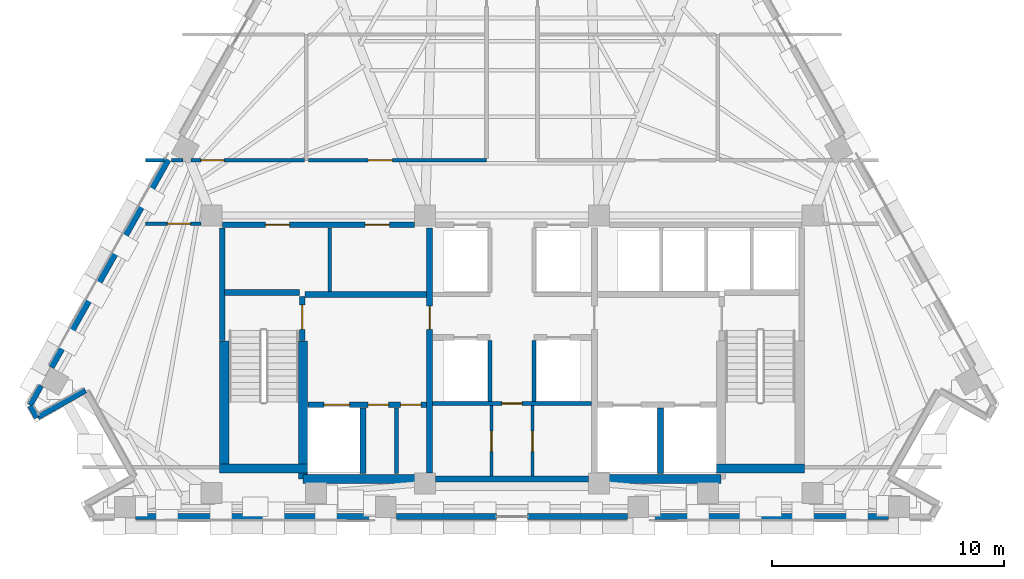
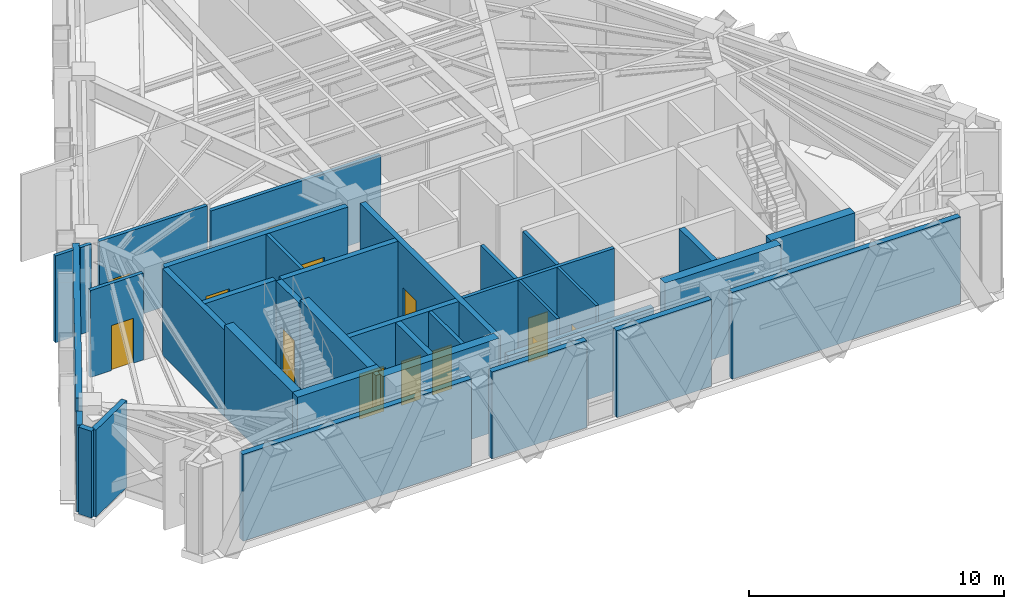
# One storey, part 6 of 11: 36 walls, 13 doors, 13 openings.
"""IFC4 building model written with IfcOpenShell, lengths in metres."""

from ifc_helpers import new_model, si_unit, direction, frame, frame_2d, origin, place, context, subcontext, project, spatial, rectangle, extrude, material, layer, layer_set, type_object, element, fill, save


model = new_model("IFC4")

# Units and contexts
model_context = context("Model", 3, precision=1e-05, world=origin(), true_north=direction((0.0, 1.0)))
body_context = subcontext(model_context, "Body", "Model", "MODEL_VIEW")
ifc_project = project(units=[si_unit("LENGTHUNIT", "METRE"), si_unit("AREAUNIT", "SQUARE_METRE"), si_unit("VOLUMEUNIT", "CUBIC_METRE"), si_unit("PLANEANGLEUNIT", "RADIAN"), si_unit("MASSUNIT", "GRAM", prefix="KILO")], contexts=[model_context])

# Site, building, storey
site_placement = place(None, origin())
site = spatial("IfcSite", under=ifc_project, at=site_placement, CompositionType="ELEMENT")
building_placement = place(site_placement, origin())
building = spatial("IfcBuilding", under=site, at=building_placement, Name="Quenlor Broadcast Tower", CompositionType="ELEMENT")
storey_placement = place(building_placement, frame((0.0, 0.0, 179.0)))
storey = spatial("IfcBuildingStorey", under=building, at=storey_placement, Name="L49", CompositionType="ELEMENT", Elevation=179.0)

# Walls
ifc_material_1 = material(Name="Concrete C50/60", Category="concrete")
ifc_layer_1 = layer(ifc_material_1, 0.39990234375)
ifc_layer_set_1 = layer_set([ifc_layer_1], Name="Core Concrete C50/60 Shear Wall 400")
wall_type_1 = type_object("IfcWallType", Name="Core Concrete C50/60 Shear Wall 400", PredefinedType="SHEAR", material=ifc_layer_set_1)
wall_1_placement = place(storey_placement, frame((-12.60009765625, -15.699951171875, 0.0), z_axis=(0.0, 0.0, 1.0), x_axis=(1.0, 0.0, 0.0)))
element("IfcWall", 1, at=wall_1_placement, inside=storey, type_object=wall_type_1, Name="L49 Core Shear Wall WS-W1", PredefinedType="SHEAR", context=body_context, shape_type="SweptSolid", body=[
    extrude(rectangle(XDim=3.800048828125, YDim=0.39990234375, at=frame_2d((1.89990234375, 0.0))), origin(), (0.0, 0.0, 1.0), 4.39990234375),
])
for number, where, z_axis, x_axis, name in (
    (2, (-9.0, -16.14990234375, 0.0), (0.0, 0.0, 1.0), (1.0, 0.0, 0.0), "L49 Core Shear Wall WS-W2"),
    (3, (3.75, -16.14990234375, 0.0), (0.0, 0.0, 1.0), (1.0, 0.0, 0.0), "L49 Core Shear Wall WS-E1"),
):
    element("IfcWall", number, at=place(storey_placement, frame(where, z_axis=z_axis, x_axis=x_axis)), inside=storey, type_object=wall_type_1, Name=name, PredefinedType="SHEAR", context=body_context, shape_type="SweptSolid", body=[
        extrude(rectangle(XDim=5.25, YDim=0.39990234375, at=frame_2d((2.625, 0.0))), origin(), (0.0, 0.0, 1.0), 4.39990234375),
    ])
wall_2_placement = place(storey_placement, frame((8.800048828125, -15.699951171875, 0.0), z_axis=(0.0, 0.0, 1.0), x_axis=(1.0, 0.0, 0.0)))
element("IfcWall", 4, at=wall_2_placement, inside=storey, type_object=wall_type_1, Name="L49 Core Shear Wall WS-E2", PredefinedType="SHEAR", context=body_context, shape_type="SweptSolid", body=[
    extrude(rectangle(XDim=3.800048828125, YDim=0.39990234375, at=frame_2d((1.89990234375, 0.0))), origin(), (0.0, 0.0, 1.0), 4.39990234375),
])
wall_3_placement = place(storey_placement, frame((-12.39990234375, -15.699951171875, 0.0), z_axis=(0.0, 0.0, 1.0), x_axis=(0.0, 1.0, 0.0)))
element("IfcWall", 5, at=wall_3_placement, inside=storey, type_object=wall_type_1, Name="L49 Core Shear Wall WF-W", PredefinedType="SHEAR", context=body_context, shape_type="SweptSolid", body=[
    extrude(rectangle(XDim=5.5, YDim=0.39990234375, at=frame_2d((2.75, 0.0))), origin(), (0.0, 0.0, 1.0), 4.39990234375),
])
wall_4_placement = place(storey_placement, frame((-9.0, -16.14990234375, 0.0), z_axis=(0.0, 0.0, 1.0), x_axis=(0.0, 1.0, 0.0)))
element("IfcWall", 6, at=wall_4_placement, inside=storey, type_object=wall_type_1, Name="L49 Core Shear Wall WI-W", PredefinedType="SHEAR", context=body_context, shape_type="SweptSolid", body=[
    extrude(rectangle(XDim=5.949951171875, YDim=0.39990234375, at=frame_2d((2.97509765625, 0.0))), origin(), (0.0, 0.0, 1.0), 4.39990234375),
])

# Wall, opening, door
ifc_material_2 = material(Name="Concrete C40/50", Category="concrete")
ifc_layer_2 = layer(ifc_material_2, 0.25)
ifc_layer_set_2 = layer_set([ifc_layer_2], Name="Fire Rated Concrete C40/50 Core Wall 250")
wall_type_2 = type_object("IfcWallType", Name="Fire Rated Concrete C40/50 Core Wall 250", PredefinedType="PARTITIONING", material=ifc_layer_set_2)
wall_5_placement = place(storey_placement, frame((-9.0400390625, -10.179931640625, 0.0), z_axis=(0.0, 0.0, 1.0), x_axis=(0.0, 1.0, 0.0)))
wall_5 = element("IfcWall", 7, at=wall_5_placement, inside=storey, type_object=wall_type_2, Name="L49 Interior Wall CW-ST1-DR", PredefinedType="PARTITIONING", context=body_context, shape_type="SweptSolid", body=[
    extrude(rectangle(XDim=1.89990234375, YDim=0.25, at=frame_2d((0.949951171875, 0.0))), origin(), (0.0, 0.0, 1.0), 4.14990234375),
])
opening_1_placement = place(wall_5_placement, frame((0.47998046875, 0.0, 0.0)))
opening_1 = element("IfcOpeningElement", 8, at=opening_1_placement, cuts=wall_5, Name="Opening FD-1", PredefinedType="OPENING", context=body_context, shape_type="SweptSolid", body=[
    extrude(rectangle(XDim=1.050048828125, YDim=2.14990234375, at=frame_2d((0.52490234375, 1.074951171875))), frame((0.0, 0.135009765625, 0.0), z_axis=(0.0, -1.0, 0.0), x_axis=(1.0, 0.0, 0.0)), (0.0, 0.0, 1.0), 0.27001953125),
])
ifc_material_3 = material(Name="Fire Rated Steel Door Leaf", Category="steel")
door_type_1 = type_object("IfcDoorType", Name="Fire Isolated Stair Door 1050x2150", OperationType="NOTDEFINED", PredefinedType="DOOR", material=ifc_material_3)
door_1_placement = place(opening_1_placement, origin())
door_1 = element("IfcDoor", 9, at=door_1_placement, inside=storey, type_object=door_type_1, Name="L49 Door DR-ST1", OperationType="SINGLE_SWING_LEFT", OverallHeight=2.14990234375, OverallWidth=1.050048828125, PredefinedType="DOOR", context=body_context, shape_type="SweptSolid", body=[
    extrude(rectangle(XDim=1.050048828125, YDim=2.14990234375, at=frame_2d((0.52490234375, 1.074951171875))), frame((0.0, 0.02490234375, 0.0), z_axis=(0.0, -1.0, 0.0), x_axis=(1.0, 0.0, 0.0)), (0.0, 0.0, 1.0), 0.050048828125),
])
fill(opening_1, door_1)

# Walls
wall_6_placement = place(storey_placement, frame((-12.3798828125, -8.1201171875, 0.0), z_axis=(0.0, 0.0, 1.0), x_axis=(1.0, 0.0, 0.0)))
element("IfcWall", 10, at=wall_6_placement, inside=storey, type_object=wall_type_2, Name="L49 Interior Wall CW-ST1-N", PredefinedType="PARTITIONING", context=body_context, shape_type="SweptSolid", body=[
    extrude(rectangle(XDim=3.219970703125, YDim=0.25, at=frame_2d((1.60986328125, 0.0))), origin(), (0.0, 0.0, 1.0), 4.14990234375),
])
wall_7_placement = place(storey_placement, frame((-12.47998046875, -10.179931640625, 0.0), z_axis=(0.0, 0.0, 1.0), x_axis=(0.0, 1.0, 0.0)))
element("IfcWall", 11, at=wall_7_placement, inside=storey, type_object=wall_type_2, Name="L49 Interior Wall CW-ST1-W2", PredefinedType="PARTITIONING", context=body_context, shape_type="SweptSolid", body=[
    extrude(rectangle(XDim=4.83984375, YDim=0.25, at=frame_2d((2.419921875, 0.0))), origin(), (0.0, 0.0, 1.0), 4.14990234375),
])

# Wall, openings, doors
wall_8_placement = place(storey_placement, frame((-8.798095703125, -12.949951171875, 0.0), z_axis=(0.0, 0.0, 1.0), x_axis=(1.0, 0.0, 0.0)))
wall_8 = element("IfcWall", 12, at=wall_8_placement, inside=storey, type_object=wall_type_2, Name="L49 Interior Wall CW-FFW-S", PredefinedType="PARTITIONING", context=body_context, shape_type="SweptSolid", body=[
    extrude(rectangle(XDim=5.1181640625, YDim=0.25, at=frame_2d((2.55908203125, 0.0))), origin(), (0.0, 0.0, 1.0), 4.14990234375),
])
opening_2_placement = place(wall_8_placement, frame((0.697998046875, 0.0, 0.0)))
opening_2 = element("IfcOpeningElement", 13, at=opening_2_placement, cuts=wall_8, Name="Opening LD-FFL-1", PredefinedType="OPENING", context=body_context, shape_type="SweptSolid", body=[
    extrude(rectangle(XDim=1.10009765625, YDim=2.14990234375, at=frame_2d((0.550048828125, 1.074951171875))), frame((0.0, 0.135009765625, 0.0), z_axis=(0.0, -1.0, 0.0), x_axis=(1.0, 0.0, 0.0)), (0.0, 0.0, 1.0), 0.27001953125),
])
opening_3_placement = place(wall_8_placement, frame((2.597900390625, 0.0, 0.0)))
opening_3 = element("IfcOpeningElement", 14, at=opening_3_placement, cuts=wall_8, Name="Opening TD-1", PredefinedType="OPENING", context=body_context, shape_type="SweptSolid", body=[
    extrude(rectangle(XDim=0.8798828125, YDim=2.10009765625, at=frame_2d((0.43994140625, 1.050048828125))), frame((0.0, 0.135009765625, 0.0), z_axis=(0.0, -1.0, 0.0), x_axis=(1.0, 0.0, 0.0)), (0.0, 0.0, 1.0), 0.27001953125),
])
opening_4_placement = place(wall_8_placement, frame((3.998046875, 0.0, 0.0)))
opening_4 = element("IfcOpeningElement", 15, at=opening_4_placement, cuts=wall_8, Name="Opening TD-1", PredefinedType="OPENING", context=body_context, shape_type="SweptSolid", body=[
    extrude(rectangle(XDim=0.8798828125, YDim=2.10009765625, at=frame_2d((0.43994140625, 1.050048828125))), frame((0.0, 0.135009765625, 0.0), z_axis=(0.0, -1.0, 0.0), x_axis=(1.0, 0.0, 0.0)), (0.0, 0.0, 1.0), 0.27001953125),
])
ifc_material_4 = material(Name="Brushed Stainless Steel", Category="steel")
door_type_2 = type_object("IfcDoorType", Name="Emergency Lift Sliding Landing Door 1100x2150", OperationType="NOTDEFINED", PredefinedType="DOOR", material=ifc_material_4)
door_2_placement = place(opening_2_placement, origin())
door_2 = element("IfcDoor", 16, at=door_2_placement, inside=storey, type_object=door_type_2, Name="L49 Door LD-FFL-1", OperationType="SLIDING_TO_LEFT", OverallHeight=2.14990234375, OverallWidth=1.10009765625, PredefinedType="DOOR", context=body_context, shape_type="SweptSolid", body=[
    extrude(rectangle(XDim=1.10009765625, YDim=2.14990234375, at=frame_2d((0.550048828125, 1.074951171875))), frame((0.0, 0.02490234375, 0.0), z_axis=(0.0, -1.0, 0.0), x_axis=(1.0, 0.0, 0.0)), (0.0, 0.0, 1.0), 0.050048828125),
])
fill(opening_2, door_2)
ifc_material_5 = material(Name="Fire Rated Steel Access Panel", Category="steel")
door_type_3 = type_object("IfcDoorType", Name="Riser Shaft Rated Access Trapdoor 880x2100", OperationType="NOTDEFINED", PredefinedType="TRAPDOOR", material=ifc_material_5)
door_3_placement = place(opening_3_placement, origin())
door_3 = element("IfcDoor", 17, at=door_3_placement, inside=storey, type_object=door_type_3, Name="L49 Door DR-ELR", OperationType="SINGLE_SWING_LEFT", OverallHeight=2.10009765625, OverallWidth=0.8798828125, PredefinedType="TRAPDOOR", context=body_context, shape_type="SweptSolid", body=[
    extrude(rectangle(XDim=0.8798828125, YDim=2.10009765625, at=frame_2d((0.43994140625, 1.050048828125))), frame((0.0, 0.02490234375, 0.0), z_axis=(0.0, -1.0, 0.0), x_axis=(1.0, 0.0, 0.0)), (0.0, 0.0, 1.0), 0.050048828125),
])
fill(opening_3, door_3)
door_4_placement = place(opening_4_placement, origin())
door_4 = element("IfcDoor", 18, at=door_4_placement, inside=storey, type_object=door_type_3, Name="L49 Door DR-CMR", OperationType="SINGLE_SWING_RIGHT", OverallHeight=2.10009765625, OverallWidth=0.8798828125, PredefinedType="TRAPDOOR", context=body_context, shape_type="SweptSolid", body=[
    extrude(rectangle(XDim=0.8798828125, YDim=2.10009765625, at=frame_2d((0.43994140625, 1.050048828125))), frame((0.0, 0.02490234375, 0.0), z_axis=(0.0, -1.0, 0.0), x_axis=(1.0, 0.0, 0.0)), (0.0, 0.0, 1.0), 0.050048828125),
])
fill(opening_4, door_4)

# Walls
for number, where, z_axis, x_axis, name in (
    (19, (-6.419921875, -15.919921875, 0.0), (0.0, 0.0, 1.0), (0.0, 1.0, 0.0), "L49 Interior Wall CW-FF1-E"),
    (20, (6.39990234375, -15.919921875, 0.0), (0.0, 0.0, 1.0), (0.0, 1.0, 0.0), "L49 Interior Wall CW-SV1-E"),
):
    element("IfcWall", number, at=place(storey_placement, frame(where, z_axis=z_axis, x_axis=x_axis)), inside=storey, type_object=wall_type_2, Name=name, PredefinedType="PARTITIONING", context=body_context, shape_type="SweptSolid", body=[
        extrude(rectangle(XDim=2.829833984375, YDim=0.25, at=frame_2d((1.4150390625, 0.0))), origin(), (0.0, 0.0, 1.0), 4.14990234375),
    ])
wall_9_placement = place(storey_placement, frame((-8.919921875, -8.199951171875, 0.0), z_axis=(0.0, 0.0, 1.0), x_axis=(1.0, 0.0, 0.0)))
element("IfcWall", 21, at=wall_9_placement, inside=storey, type_object=wall_type_2, Name="L49 Interior Wall CW-FFW-N", PredefinedType="PARTITIONING", context=body_context, shape_type="SweptSolid", body=[
    extrude(rectangle(XDim=5.239990234375, YDim=0.25, at=frame_2d((2.6201171875, 0.0))), origin(), (0.0, 0.0, 1.0), 4.14990234375),
])

# Wall, opening, door
wall_10_placement = place(storey_placement, frame((-3.550048828125, -15.89794921875, 0.0), z_axis=(0.0, 0.0, 1.0), x_axis=(0.0, 1.0, 0.0)))
wall_10 = element("IfcWall", 22, at=wall_10_placement, inside=storey, type_object=wall_type_2, Name="L49 Interior Wall CW-FFW-E", PredefinedType="PARTITIONING", context=body_context, shape_type="SweptSolid", body=[
    extrude(rectangle(XDim=10.557861328125, YDim=0.25, at=frame_2d((5.27880859375, 0.0))), origin(), (0.0, 0.0, 1.0), 4.14990234375),
])
opening_5_placement = place(wall_10_placement, frame((6.197998046875, 0.0, 0.0)))
opening_5 = element("IfcOpeningElement", 23, at=opening_5_placement, cuts=wall_10, Name="Opening FD-2", PredefinedType="OPENING", context=body_context, shape_type="SweptSolid", body=[
    extrude(rectangle(XDim=1.0, YDim=2.14990234375, at=frame_2d((0.5, 1.074951171875))), frame((0.0, 0.135009765625, 0.0), z_axis=(0.0, -1.0, 0.0), x_axis=(1.0, 0.0, 0.0)), (0.0, 0.0, 1.0), 0.27001953125),
])
ifc_material_6 = material(Name="Fire Rated Glazed Steel Door", Category="steel")
door_type_4 = type_object("IfcDoorType", Name="Firefighting Lobby Smoke Door 1000x2150", OperationType="NOTDEFINED", PredefinedType="DOOR", material=ifc_material_6)
door_5_placement = place(opening_5_placement, origin())
door_5 = element("IfcDoor", 24, at=door_5_placement, inside=storey, type_object=door_type_4, Name="L49 Door DR-FFLW", OperationType="SINGLE_SWING_RIGHT", OverallHeight=2.14990234375, OverallWidth=1.0, PredefinedType="DOOR", context=body_context, shape_type="SweptSolid", body=[
    extrude(rectangle(XDim=1.0, YDim=2.14990234375, at=frame_2d((0.5, 1.074951171875))), frame((0.0, 0.02490234375, 0.0), z_axis=(0.0, -1.0, 0.0), x_axis=(1.0, 0.0, 0.0)), (0.0, 0.0, 1.0), 0.050048828125),
])
fill(opening_5, door_5)

# Wall, openings, doors
wall_11_placement = place(storey_placement, frame((-12.47998046875, -5.199951171875, 0.0), z_axis=(0.0, 0.0, 1.0), x_axis=(1.0, 0.0, 0.0)))
wall_11 = element("IfcWall", 25, at=wall_11_placement, inside=storey, type_object=wall_type_2, Name="L49 Interior Wall CW-N-W", PredefinedType="PARTITIONING", context=body_context, shape_type="SweptSolid", body=[
    extrude(rectangle(XDim=8.278076171875, YDim=0.25, at=frame_2d((4.13916015625, 0.0))), origin(), (0.0, 0.0, 1.0), 4.14990234375),
])
opening_6_placement = place(wall_11_placement, frame((1.85009765625, 0.0, 0.0)))
opening_6 = element("IfcOpeningElement", 26, at=opening_6_placement, cuts=wall_11, Name="Opening FD-3", PredefinedType="OPENING", context=body_context, shape_type="SweptSolid", body=[
    extrude(rectangle(XDim=1.050048828125, YDim=2.1201171875, at=frame_2d((0.52490234375, 1.06005859375))), frame((0.0, 0.135009765625, 0.0), z_axis=(0.0, -1.0, 0.0), x_axis=(1.0, 0.0, 0.0)), (0.0, 0.0, 1.0), 0.27001953125),
])
opening_7_placement = place(wall_11_placement, frame((6.14990234375, 0.0, 0.0)))
opening_7 = element("IfcOpeningElement", 27, at=opening_7_placement, cuts=wall_11, Name="Opening FD-3", PredefinedType="OPENING", context=body_context, shape_type="SweptSolid", body=[
    extrude(rectangle(XDim=1.050048828125, YDim=2.1201171875, at=frame_2d((0.52490234375, 1.06005859375))), frame((0.0, 0.135009765625, 0.0), z_axis=(0.0, -1.0, 0.0), x_axis=(1.0, 0.0, 0.0)), (0.0, 0.0, 1.0), 0.27001953125),
])
ifc_material_7 = material(Name="Galvanised Fire Steel Leaf", Category="steel")
door_type_5 = type_object("IfcDoorType", Name="Plant Room Fire Rated Door 1050x2120", OperationType="NOTDEFINED", PredefinedType="DOOR", material=ifc_material_7)
door_6_placement = place(opening_6_placement, origin())
door_6 = element("IfcDoor", 28, at=door_6_placement, inside=storey, type_object=door_type_5, Name="L49 Door DR-RCL1", OperationType="SINGLE_SWING_LEFT", OverallHeight=2.1201171875, OverallWidth=1.050048828125, PredefinedType="DOOR", context=body_context, shape_type="SweptSolid", body=[
    extrude(rectangle(XDim=1.050048828125, YDim=2.1201171875, at=frame_2d((0.52490234375, 1.06005859375))), frame((0.0, 0.02490234375, 0.0), z_axis=(0.0, -1.0, 0.0), x_axis=(1.0, 0.0, 0.0)), (0.0, 0.0, 1.0), 0.050048828125),
])
fill(opening_6, door_6)
door_7_placement = place(opening_7_placement, origin())
door_7 = element("IfcDoor", 29, at=door_7_placement, inside=storey, type_object=door_type_5, Name="L49 Door DR-RCL2", OperationType="SINGLE_SWING_RIGHT", OverallHeight=2.1201171875, OverallWidth=1.050048828125, PredefinedType="DOOR", context=body_context, shape_type="SweptSolid", body=[
    extrude(rectangle(XDim=1.050048828125, YDim=2.1201171875, at=frame_2d((0.52490234375, 1.06005859375))), frame((0.0, 0.02490234375, 0.0), z_axis=(0.0, -1.0, 0.0), x_axis=(1.0, 0.0, 0.0)), (0.0, 0.0, 1.0), 0.050048828125),
])
fill(opening_7, door_7)

# Walls
wall_12_placement = place(storey_placement, frame((-3.298095703125, -16.14990234375, 0.0), z_axis=(0.0, 0.0, 1.0), x_axis=(1.0, 0.0, 0.0)))
element("IfcWall", 30, at=wall_12_placement, inside=storey, type_object=wall_type_2, Name="L49 Interior Wall CW-MS-S", PredefinedType="PARTITIONING", context=body_context, shape_type="SweptSolid", body=[
    extrude(rectangle(XDim=6.59619140625, YDim=0.25, at=frame_2d((3.298095703125, 0.0))), origin(), (0.0, 0.0, 1.0), 3.35009765625),
])
ifc_material_8 = material(Name="Gypsum Fireboard Partition", Category="other")
ifc_layer_3 = layer(ifc_material_8, 0.159912109375)
ifc_layer_set_3 = layer_set([ifc_layer_3], Name="Fire Rated Shaft and Corridor Partition 160")
wall_type_3 = type_object("IfcWallType", Name="Fire Rated Shaft and Corridor Partition 160", PredefinedType="PARTITIONING", material=ifc_layer_set_3)
wall_13_placement = place(storey_placement, frame((-4.97998046875, -15.919921875, 0.0), z_axis=(0.0, 0.0, 1.0), x_axis=(0.0, 1.0, 0.0)))
element("IfcWall", 31, at=wall_13_placement, inside=storey, type_object=wall_type_3, Name="L49 Interior Wall CW-ELR-E", PredefinedType="PARTITIONING", context=body_context, shape_type="SweptSolid", body=[
    extrude(rectangle(XDim=2.829833984375, YDim=0.159912109375, at=frame_2d((1.4150390625, 0.0))), origin(), (0.0, 0.0, 1.0), 4.14990234375),
])
wall_14_placement = place(storey_placement, frame((-7.85009765625, -8.072998046875, 0.0), z_axis=(0.0, 0.0, 1.0), x_axis=(0.0, 1.0, 0.0)))
element("IfcWall", 32, at=wall_14_placement, inside=storey, type_object=wall_type_3, Name="L49 Interior Wall CW-RCL-MID", PredefinedType="PARTITIONING", context=body_context, shape_type="SweptSolid", body=[
    extrude(rectangle(XDim=2.73291015625, YDim=0.159912109375, at=frame_2d((1.366455078125, 0.0))), origin(), (0.0, 0.0, 1.0), 4.14990234375),
])

# Wall, opening, door
wall_15_placement = place(storey_placement, frame((-3.419921875, -12.89990234375, 0.0), z_axis=(0.0, 0.0, 1.0), x_axis=(1.0, 0.0, 0.0)))
wall_15 = element("IfcWall", 33, at=wall_15_placement, inside=storey, type_object=wall_type_3, Name="L49 Interior Wall CW-MS-B", PredefinedType="PARTITIONING", context=body_context, shape_type="SweptSolid", body=[
    extrude(rectangle(XDim=6.83984375, YDim=0.159912109375, at=frame_2d((3.419921875, 0.0))), origin(), (0.0, 0.0, 1.0), 4.14990234375),
])
opening_8_placement = place(wall_15_placement, frame((2.97998046875, 0.0, 0.0)))
opening_8 = element("IfcOpeningElement", 34, at=opening_8_placement, cuts=wall_15, Name="Opening ID-4", PredefinedType="OPENING", context=body_context, shape_type="SweptSolid", body=[
    extrude(rectangle(XDim=0.8798828125, YDim=2.1201171875, at=frame_2d((0.43994140625, 1.06005859375))), frame((0.0, 0.08984375, 0.0), z_axis=(0.0, -1.0, 0.0), x_axis=(1.0, 0.0, 0.0)), (0.0, 0.0, 1.0), 0.179931640625),
])
ifc_material_9 = material(Name="Solid Core Timber Oak", Category="wood")
door_type_6 = type_object("IfcDoorType", Name="Service Closet Timber Door 880x2120", OperationType="NOTDEFINED", PredefinedType="DOOR", material=ifc_material_9)
door_8_placement = place(opening_8_placement, origin())
door_8 = element("IfcDoor", 35, at=door_8_placement, inside=storey, type_object=door_type_6, Name="L49 Door DR-CSV0", OperationType="SINGLE_SWING_LEFT", OverallHeight=2.1201171875, OverallWidth=0.8798828125, PredefinedType="DOOR", context=body_context, shape_type="SweptSolid", body=[
    extrude(rectangle(XDim=0.8798828125, YDim=2.1201171875, at=frame_2d((0.43994140625, 1.06005859375))), frame((0.0, 0.02490234375, 0.0), z_axis=(0.0, -1.0, 0.0), x_axis=(1.0, 0.0, 0.0)), (0.0, 0.0, 1.0), 0.050048828125),
])
fill(opening_8, door_8)

# Walls
for number, where, z_axis, x_axis, name in (
    (36, (-0.949951171875, -12.818115234375, 0.0), (0.0, 0.0, 1.0), (0.0, 1.0, 0.0), "L49 Interior Wall CW-MS-W"),
    (37, (0.949951171875, -12.818115234375, 0.0), (0.0, 0.0, 1.0), (0.0, 1.0, 0.0), "L49 Interior Wall CW-MS-E"),
):
    element("IfcWall", number, at=place(storey_placement, frame(where, z_axis=z_axis, x_axis=x_axis)), inside=storey, type_object=wall_type_3, Name=name, PredefinedType="PARTITIONING", context=body_context, shape_type="SweptSolid", body=[
        extrude(rectangle(XDim=2.63818359375, YDim=0.159912109375, at=frame_2d((1.319091796875, 0.0))), origin(), (0.0, 0.0, 1.0), 4.14990234375),
    ])
wall_16_placement = place(storey_placement, frame((-15.800048828125, -2.419921875, 0.0), z_axis=(0.0, 0.0, 1.0), x_axis=(1.0, 0.0, 0.0)))
element("IfcWall", 38, at=wall_16_placement, inside=storey, type_object=wall_type_3, Name="L49 Interior Wall PW-PL-HW", PredefinedType="PARTITIONING", context=body_context, shape_type="SweptSolid", body=[
    extrude(rectangle(XDim=0.820556640625, YDim=0.159912109375, at=frame_2d((0.41015625, 0.0))), origin(), (0.0, 0.0, 1.0), 4.14990234375),
])
wall_17_placement = place(storey_placement, frame((-14.6767578125, -2.419921875, 0.0), z_axis=(0.0, 0.0, 1.0), x_axis=(1.0, 0.0, 0.0)))
element("IfcWall", 39, at=wall_17_placement, inside=storey, type_object=wall_type_3, Name="L49 Interior Wall PW-PL-HWS2", PredefinedType="PARTITIONING", context=body_context, shape_type="SweptSolid", body=[
    extrude(rectangle(XDim=0.5087890625, YDim=0.159912109375, at=frame_2d((0.25439453125, 0.0))), origin(), (0.0, 0.0, 1.0), 4.14990234375),
])

# Wall, opening, door
wall_18_placement = place(storey_placement, frame((-13.822021484375, -2.419921875, 0.0), z_axis=(0.0, 0.0, 1.0), x_axis=(1.0, 0.0, 0.0)))
wall_18 = element("IfcWall", 40, at=wall_18_placement, inside=storey, type_object=wall_type_3, Name="L49 Interior Wall PW-PL-HWS3", PredefinedType="PARTITIONING", context=body_context, shape_type="SweptSolid", body=[
    extrude(rectangle(XDim=4.880126953125, YDim=0.159912109375, at=frame_2d((2.43994140625, 0.0))), origin(), (0.0, 0.0, 1.0), 4.14990234375),
])
opening_9_placement = place(wall_18_placement, frame((0.422119140625, 0.0, 0.0)))
opening_9 = element("IfcOpeningElement", 41, at=opening_9_placement, cuts=wall_18, Name="Opening FD-2", PredefinedType="OPENING", context=body_context, shape_type="SweptSolid", body=[
    extrude(rectangle(XDim=1.0, YDim=2.14990234375, at=frame_2d((0.5, 1.074951171875))), frame((0.0, 0.08984375, 0.0), z_axis=(0.0, -1.0, 0.0), x_axis=(1.0, 0.0, 0.0)), (0.0, 0.0, 1.0), 0.179931640625),
])
door_9_placement = place(opening_9_placement, origin())
door_9 = element("IfcDoor", 42, at=door_9_placement, inside=storey, type_object=door_type_4, Name="L49 Door DR-REFW2", OperationType="SINGLE_SWING_LEFT", OverallHeight=2.14990234375, OverallWidth=1.0, PredefinedType="DOOR", context=body_context, shape_type="SweptSolid", body=[
    extrude(rectangle(XDim=1.0, YDim=2.14990234375, at=frame_2d((0.5, 1.074951171875))), frame((0.0, 0.02490234375, 0.0), z_axis=(0.0, -1.0, 0.0), x_axis=(1.0, 0.0, 0.0)), (0.0, 0.0, 1.0), 0.050048828125),
])
fill(opening_9, door_9)

wall_19_placement = place(storey_placement, frame((-8.778076171875, -2.419921875, 0.0), z_axis=(0.0, 0.0, 1.0), x_axis=(1.0, 0.0, 0.0)))
wall_19 = element("IfcWall", 43, at=wall_19_placement, inside=storey, type_object=wall_type_3, Name="L49 Interior Wall PW-PL-HWS4", PredefinedType="PARTITIONING", context=body_context, shape_type="SweptSolid", body=[
    extrude(rectangle(XDim=7.677978515625, YDim=0.159912109375, at=frame_2d((3.8388671875, 0.0))), origin(), (0.0, 0.0, 1.0), 3.8427734375),
])
opening_10_placement = place(wall_19_placement, frame((2.577880859375, 0.0, 0.0)))
opening_10 = element("IfcOpeningElement", 44, at=opening_10_placement, cuts=wall_19, Name="Opening FD-3", PredefinedType="OPENING", context=body_context, shape_type="SweptSolid", body=[
    extrude(rectangle(XDim=1.050048828125, YDim=2.1201171875, at=frame_2d((0.52490234375, 1.06005859375))), frame((0.0, 0.08984375, 0.0), z_axis=(0.0, -1.0, 0.0), x_axis=(1.0, 0.0, 0.0)), (0.0, 0.0, 1.0), 0.179931640625),
])
door_10_placement = place(opening_10_placement, origin())
door_10 = element("IfcDoor", 45, at=door_10_placement, inside=storey, type_object=door_type_5, Name="L49 Door DR-PLT1", OperationType="SINGLE_SWING_LEFT", OverallHeight=2.1201171875, OverallWidth=1.050048828125, PredefinedType="DOOR", context=body_context, shape_type="SweptSolid", body=[
    extrude(rectangle(XDim=1.050048828125, YDim=2.1201171875, at=frame_2d((0.52490234375, 1.06005859375))), frame((0.0, 0.02490234375, 0.0), z_axis=(0.0, -1.0, 0.0), x_axis=(1.0, 0.0, 0.0)), (0.0, 0.0, 1.0), 0.050048828125),
])
fill(opening_10, door_10)

wall_20_placement = place(storey_placement, frame((-15.800048828125, -5.14990234375, 0.0), z_axis=(0.0, 0.0, 1.0), x_axis=(1.0, 0.0, 0.0)))
wall_20 = element("IfcWall", 46, at=wall_20_placement, inside=storey, type_object=wall_type_3, Name="L49 Interior Wall PW-RF-W", PredefinedType="PARTITIONING", context=body_context, shape_type="SweptSolid", body=[
    extrude(rectangle(XDim=2.39794921875, YDim=0.159912109375, at=frame_2d((1.198974609375, 0.0))), origin(), (0.0, 0.0, 1.0), 4.14990234375),
])
opening_11_placement = place(wall_20_placement, frame((0.949951171875, 0.0, 0.0)))
opening_11 = element("IfcOpeningElement", 47, at=opening_11_placement, cuts=wall_20, Name="Opening FD-2", PredefinedType="OPENING", context=body_context, shape_type="SweptSolid", body=[
    extrude(rectangle(XDim=1.0, YDim=2.14990234375, at=frame_2d((0.5, 1.074951171875))), frame((0.0, 0.08984375, 0.0), z_axis=(0.0, -1.0, 0.0), x_axis=(1.0, 0.0, 0.0)), (0.0, 0.0, 1.0), 0.179931640625),
])
door_11_placement = place(opening_11_placement, origin())
door_11 = element("IfcDoor", 48, at=door_11_placement, inside=storey, type_object=door_type_4, Name="L49 Door DR-REFW", OperationType="SINGLE_SWING_LEFT", OverallHeight=2.14990234375, OverallWidth=1.0, PredefinedType="DOOR", context=body_context, shape_type="SweptSolid", body=[
    extrude(rectangle(XDim=1.0, YDim=2.14990234375, at=frame_2d((0.5, 1.074951171875))), frame((0.0, 0.02490234375, 0.0), z_axis=(0.0, -1.0, 0.0), x_axis=(1.0, 0.0, 0.0)), (0.0, 0.0, 1.0), 0.050048828125),
])
fill(opening_11, door_11)

ifc_material_10 = material(Name="Gypsum Plasterboard Partition", Category="other")
ifc_layer_4 = layer(ifc_material_10, 0.1201171875)
ifc_layer_set_4 = layer_set([ifc_layer_4], Name="Standard Office Partition 120")
wall_type_4 = type_object("IfcWallType", Name="Standard Office Partition 120", PredefinedType="PARTITIONING", material=ifc_layer_set_4)
wall_21_placement = place(storey_placement, frame((-0.8798828125, -16.02001953125, 0.0), z_axis=(0.0, 0.0, 1.0), x_axis=(0.0, 1.0, 0.0)))
wall_21 = element("IfcWall", 49, at=wall_21_placement, inside=storey, type_object=wall_type_4, Name="L49 Interior Wall CW-CSV-W3", PredefinedType="PARTITIONING", context=body_context, shape_type="SweptSolid", body=[
    extrude(rectangle(XDim=3.0380859375, YDim=0.1201171875, at=frame_2d((1.51904296875, 0.0))), origin(), (0.0, 0.0, 1.0), 4.14990234375),
])
opening_12_placement = place(wall_21_placement, frame((1.050048828125, 0.0, 0.0)))
opening_12 = element("IfcOpeningElement", 50, at=opening_12_placement, cuts=wall_21, Name="Opening ID-4", PredefinedType="OPENING", context=body_context, shape_type="SweptSolid", body=[
    extrude(rectangle(XDim=0.8798828125, YDim=2.1201171875, at=frame_2d((0.43994140625, 1.06005859375))), frame((0.0, 0.070068359375, 0.0), z_axis=(0.0, -1.0, 0.0), x_axis=(1.0, 0.0, 0.0)), (0.0, 0.0, 1.0), 0.14013671875),
])
door_12_placement = place(opening_12_placement, origin())
door_12 = element("IfcDoor", 51, at=door_12_placement, inside=storey, type_object=door_type_6, Name="L49 Door DR-CSV1", OperationType="SINGLE_SWING_LEFT", OverallHeight=2.1201171875, OverallWidth=0.8798828125, PredefinedType="DOOR", context=body_context, shape_type="SweptSolid", body=[
    extrude(rectangle(XDim=0.8798828125, YDim=2.1201171875, at=frame_2d((0.43994140625, 1.06005859375))), frame((0.0, 0.02490234375, 0.0), z_axis=(0.0, -1.0, 0.0), x_axis=(1.0, 0.0, 0.0)), (0.0, 0.0, 1.0), 0.050048828125),
])
fill(opening_12, door_12)

wall_22_placement = place(storey_placement, frame((0.8798828125, -16.02001953125, 0.0), z_axis=(0.0, 0.0, 1.0), x_axis=(0.0, 1.0, 0.0)))
wall_22 = element("IfcWall", 52, at=wall_22_placement, inside=storey, type_object=wall_type_4, Name="L49 Interior Wall CW-CSV-E3", PredefinedType="PARTITIONING", context=body_context, shape_type="SweptSolid", body=[
    extrude(rectangle(XDim=3.0380859375, YDim=0.1201171875, at=frame_2d((1.51904296875, 0.0))), origin(), (0.0, 0.0, 1.0), 4.14990234375),
])
opening_13_placement = place(wall_22_placement, frame((1.050048828125, 0.0, 0.0)))
opening_13 = element("IfcOpeningElement", 53, at=opening_13_placement, cuts=wall_22, Name="Opening ID-4", PredefinedType="OPENING", context=body_context, shape_type="SweptSolid", body=[
    extrude(rectangle(XDim=0.8798828125, YDim=2.1201171875, at=frame_2d((0.43994140625, 1.06005859375))), frame((0.0, 0.070068359375, 0.0), z_axis=(0.0, -1.0, 0.0), x_axis=(1.0, 0.0, 0.0)), (0.0, 0.0, 1.0), 0.14013671875),
])
door_13_placement = place(opening_13_placement, origin())
door_13 = element("IfcDoor", 54, at=door_13_placement, inside=storey, type_object=door_type_6, Name="L49 Door DR-CSV2", OperationType="SINGLE_SWING_RIGHT", OverallHeight=2.1201171875, OverallWidth=0.8798828125, PredefinedType="DOOR", context=body_context, shape_type="SweptSolid", body=[
    extrude(rectangle(XDim=0.8798828125, YDim=2.1201171875, at=frame_2d((0.43994140625, 1.06005859375))), frame((0.0, 0.02490234375, 0.0), z_axis=(0.0, -1.0, 0.0), x_axis=(1.0, 0.0, 0.0)), (0.0, 0.0, 1.0), 0.050048828125),
])
fill(opening_13, door_13)

# Walls
ifc_material_11 = material(Name="Precast concrete C40/50", Category="concrete")
ifc_layer_5 = layer(ifc_material_11, 0.239990234375)
ifc_layer_set_5 = layer_set([ifc_layer_5], Name="Terrace Threshold Precast Concrete C40/50 Wall 240")
wall_type_5 = type_object("IfcWallType", Name="Terrace Threshold Precast Concrete C40/50 Wall 240", PredefinedType="STANDARD", material=ifc_layer_set_5)
wall_23_placement = place(storey_placement, frame((-20.762451171875, -12.969970703125, 0.0), z_axis=(0.0, 0.0, 1.0), x_axis=(0.490345412687, 0.87152818443, 0.0)))
element("IfcWall", 55, at=wall_23_placement, inside=storey, type_object=wall_type_5, Name="L49 Exterior Wall L49-SHD-NWS0", PredefinedType="STANDARD", context=body_context, shape_type="SweptSolid", body=[
    extrude(rectangle(XDim=0.9638671875, YDim=0.239990234375, at=frame_2d((0.48193359375, 0.0))), origin(), (0.0, 0.0, 1.0), 4.14990234375),
])
wall_24_placement = place(storey_placement, frame((-20.75537109375, -12.999267578125, 0.0), z_axis=(0.0, 0.0, 1.0), x_axis=(0.490320776404, -0.871542045014, 0.0)))
element("IfcWall", 56, at=wall_24_placement, inside=storey, type_object=wall_type_5, Name="L49 Exterior Wall L49-CNR-12", PredefinedType="STANDARD", context=body_context, shape_type="SweptSolid", body=[
    extrude(rectangle(XDim=0.583984375, YDim=0.239990234375, at=frame_2d((0.2919921875, 0.0))), origin(), (0.0, 0.0, 1.0), 4.14990234375),
])
wall_25_placement = place(storey_placement, frame((-20.43408203125, -13.488525390625, 0.0), z_axis=(0.0, 0.0, 1.0), x_axis=(0.871578299909, 0.490256327984, 0.0)))
element("IfcWall", 57, at=wall_25_placement, inside=storey, type_object=wall_type_5, Name="L49 Exterior Wall L49-CNR-13", PredefinedType="STANDARD", context=body_context, shape_type="SweptSolid", body=[
    extrude(rectangle(XDim=2.35986328125, YDim=0.239990234375, at=frame_2d((1.179931640625, 0.0))), origin(), (0.0, 0.0, 1.0), 4.14990234375),
])
ifc_material_12 = material(Name="Precast concrete C40/50", Category="concrete")
ifc_layer_6 = layer(ifc_material_12, 0.260009765625)
ifc_layer_set_6 = layer_set([ifc_layer_6], Name="Terracotta Precast Concrete C40/50 Upper Wall 260")
wall_type_6 = type_object("IfcWallType", Name="Terracotta Precast Concrete C40/50 Upper Wall 260", PredefinedType="STANDARD", material=ifc_layer_set_6)
for number, where, z_axis, x_axis, name in (
    (58, (16.220947265625, -17.77490234375, 0.0), (0.0, 0.0, 1.0), (-1.0, 0.0, 0.0), "L49 Exterior Wall L49-EW-SA"),
    (59, (-5.892822265625, -17.77490234375, 0.0), (0.0, 0.0, 1.0), (-1.0, 0.0, 0.0), "L49 Exterior Wall L49-EW-SC"),
):
    element("IfcWall", number, at=place(storey_placement, frame(where, z_axis=z_axis, x_axis=x_axis)), inside=storey, type_object=wall_type_6, Name=name, PredefinedType="STANDARD", context=body_context, shape_type="SweptSolid", body=[
        extrude(rectangle(XDim=10.328125, YDim=0.260009765625, at=frame_2d((5.1640625, 0.0))), origin(), (0.0, 0.0, 1.0), 4.14990234375),
    ])
for number, where, z_axis, x_axis, name in (
    (60, (4.9677734375, -17.77490234375, 0.0), (0.0, 0.0, 1.0), (-1.0, 0.0, 0.0), "L49 Exterior Wall L49-S-SP1"),
    (61, (-0.67138671875, -17.77490234375, 0.0), (0.0, 0.0, 1.0), (-1.0, 0.0, 0.0), "L49 Exterior Wall L49-S-SP2"),
):
    element("IfcWall", number, at=place(storey_placement, frame(where, z_axis=z_axis, x_axis=x_axis)), inside=storey, type_object=wall_type_6, Name=name, PredefinedType="STANDARD", context=body_context, shape_type="SweptSolid", body=[
        extrude(rectangle(XDim=4.29638671875, YDim=0.260009765625, at=frame_2d((2.148193359375, 0.0))), origin(), (0.0, 0.0, 1.0), 4.14990234375),
    ])
wall_26_placement = place(storey_placement, frame((-19.84375, -11.3369140625, 0.0), z_axis=(0.0, 0.0, 1.0), x_axis=(0.490246958575, 0.871583570066, 0.0)))
element("IfcWall", 62, at=wall_26_placement, inside=storey, type_object=wall_type_6, Name="L49 Exterior Wall L49-EW-NWA", PredefinedType="STANDARD", context=body_context, shape_type="SweptSolid", body=[
    extrude(rectangle(XDim=10.551513671875, YDim=0.260009765625, at=frame_2d((5.27587890625, 0.0))), origin(), (0.0, 0.0, 1.0), 4.14990234375),
])

save(model, "model.ifc")
